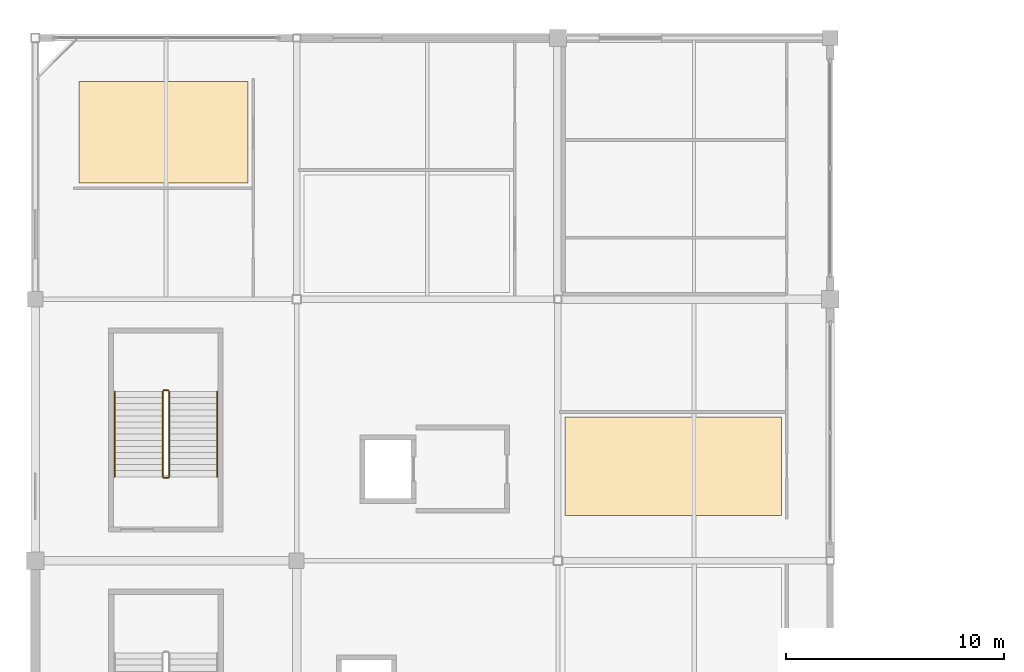
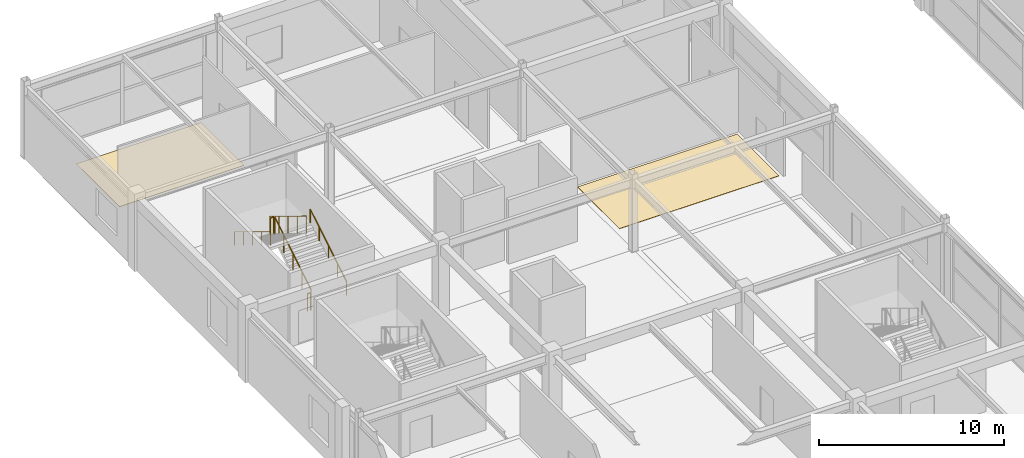
# One storey, part 123 of 128: 6 railings, 2 coverings.
"""IFC4 building model written with IfcOpenShell, lengths in metres."""

from ifc_helpers import new_model, si_unit, direction, frame, origin, origin_2d, place, context, subcontext, project, spatial, polyline, circle, outline, extrude, material, layer, layer_set, type_object, element, save


model = new_model("IFC4")

# Units and contexts
model_context = context("Model", 3, precision=1e-05, world=origin(), true_north=direction((0.0, 1.0)))
body_context = subcontext(model_context, "Body", "Model", "MODEL_VIEW")
ifc_project = project(units=[si_unit("LENGTHUNIT", "METRE"), si_unit("AREAUNIT", "SQUARE_METRE"), si_unit("VOLUMEUNIT", "CUBIC_METRE"), si_unit("PLANEANGLEUNIT", "RADIAN"), si_unit("MASSUNIT", "GRAM", prefix="KILO")], contexts=[model_context])

# Site, building, storey
site_placement = place(None, origin())
site = spatial("IfcSite", under=ifc_project, at=site_placement, CompositionType="ELEMENT")
building_placement = place(site_placement, origin())
building = spatial("IfcBuilding", under=site, at=building_placement, Name="Kazenohara Klinker Stadium", CompositionType="ELEMENT")
storey_placement = place(building_placement, frame((0.0, 0.0, 15.300048828125)))
storey = spatial("IfcBuildingStorey", under=building, at=storey_placement, Name="L03", CompositionType="ELEMENT", Elevation=15.300048828125)

# Coverings
ifc_material_1 = material(Name="Slip-resistant honed basalt terrazzo flooring", Category="masonry")
ifc_layer_1 = layer(ifc_material_1, 0.02001953125)
ifc_layer_set_1 = layer_set([ifc_layer_1], Name="Slip-resistant honed basalt terrazzo flooring")
covering_type = type_object("IfcCoveringType", Name="COV-FLR-01", PredefinedType="FLOORING", material=ifc_layer_set_1)
covering_1_placement = place(storey_placement, origin())
element("IfcCovering", 1, at=covering_1_placement, inside=storey, type_object=covering_type, Name="Interior floor finish FL01 Crowd Safety Monitoring Control Studio L03-0013B", PredefinedType="FLOORING", context=body_context, shape_type="SweptSolid", body=[
    extrude(outline(polyline([(2.0, 161.3349609375), (9.77001953125, 161.3349609375), (9.77001953125, 166.0), (2.0, 166.0), (2.0, 161.3349609375)])), origin(), (0.0, 0.0, 1.0), 0.02001953125),
])
covering_2_placement = place(storey_placement, origin())
element("IfcCovering", 2, at=covering_2_placement, inside=storey, type_object=covering_type, Name="Interior floor finish FL01 Upper Stand First-Aid Medical Clinic L03-0212A", PredefinedType="FLOORING", context=body_context, shape_type="SweptSolid", body=[
    extrude(outline(polyline([(24.330078125, 146.070068359375), (34.27001953125, 146.070068359375), (34.27001953125, 150.600341796875), (24.330078125, 150.600341796875), (24.330078125, 146.070068359375)])), origin(), (0.0, 0.0, 1.0), 0.02001953125),
])

# Railings
ifc_material_2 = material(Name="Brushed stainless steel 304 handrail", Category="steel")
ifc_layer_2 = layer(ifc_material_2, 0.050048828125)
ifc_layer_set_2 = layer_set([ifc_layer_2], Name="Brushed stainless steel 304 handrail")
railing_type_1 = type_object("IfcRailingType", Name="RL-HND-900", PredefinedType="HANDRAIL", material=ifc_layer_set_2)
railing_1_placement = place(storey_placement, frame((8.360107421875, 147.85009765625, 0.169921875)))
element("IfcRailing", 3, at=railing_1_placement, inside=storey, type_object=railing_type_1, Name="L03 ST06 stair handrail 1", PredefinedType="HANDRAIL", context=body_context, shape_type="SweptSolid", body=[
    extrude(circle(Radius=0.02392578125, at=origin_2d()), frame((0.0, 0.0, 0.8759765625), z_axis=(0.0, 0.854770645689, 0.519005918337), x_axis=(-1.0, 0.0, 0.0)), (0.0, 0.0, 1.0), 4.5859375),
    extrude(circle(Radius=0.02099609375, at=origin_2d()), origin(), (0.0, 0.0, 1.0), 0.851806640625),
    extrude(circle(Radius=0.02099609375, at=origin_2d()), frame((0.0, 0.97998046875, 0.594970703125)), (0.0, 0.0, 1.0), 0.851806640625),
    extrude(circle(Radius=0.02099609375, at=origin_2d()), frame((0.0, 1.9599609375, 1.18994140625)), (0.0, 0.0, 1.0), 0.851806640625),
    extrude(circle(Radius=0.02099609375, at=origin_2d()), frame((0.0, 2.93994140625, 1.78515625)), (0.0, 0.0, 1.0), 0.851806640625),
    extrude(circle(Radius=0.02099609375, at=origin_2d()), frame((0.0, 3.919921875, 2.380126953125)), (0.0, 0.0, 1.0), 0.851806640625),
])
railing_2_placement = place(storey_placement, frame((3.639892578125, 151.77001953125, 2.719970703125)))
element("IfcRailing", 4, at=railing_2_placement, inside=storey, type_object=railing_type_1, Name="L03 ST06 stair handrail 2", PredefinedType="HANDRAIL", context=body_context, shape_type="SweptSolid", body=[
    extrude(circle(Radius=0.02392578125, at=origin_2d()), frame((0.0, 0.0, 0.8759765625), z_axis=(0.0, -0.854794262968, 0.518967020143), x_axis=(1.0, 0.0, 0.0)), (0.0, 0.0, 1.0), 4.585693359375),
    extrude(circle(Radius=0.02099609375, at=origin_2d()), origin(), (0.0, 0.0, 1.0), 0.851806640625),
    extrude(circle(Radius=0.02099609375, at=origin_2d()), frame((0.0, -0.97998046875, 0.594970703125)), (0.0, 0.0, 1.0), 0.851806640625),
    extrude(circle(Radius=0.02099609375, at=origin_2d()), frame((0.0, -1.9599609375, 1.18994140625)), (0.0, 0.0, 1.0), 0.851806640625),
    extrude(circle(Radius=0.02099609375, at=origin_2d()), frame((0.0, -2.93994140625, 1.784912109375)), (0.0, 0.0, 1.0), 0.851806640625),
    extrude(circle(Radius=0.02099609375, at=origin_2d()), frame((0.0, -3.919921875, 2.3798828125)), (0.0, 0.0, 1.0), 0.851806640625),
])
ifc_material_3 = material(Name="Painted steel stairwell guardrail", Category="steel")
ifc_layer_3 = layer(ifc_material_3, 0.06005859375)
ifc_layer_set_3 = layer_set([ifc_layer_3], Name="Painted steel stairwell guardrail")
railing_type_2 = type_object("IfcRailingType", Name="RL-STG-1120", PredefinedType="GUARDRAIL", material=ifc_layer_set_3)
railing_3_placement = place(storey_placement, frame((6.14990234375, 147.85009765625, 0.169921875)))
element("IfcRailing", 5, at=railing_3_placement, inside=storey, type_object=railing_type_2, Name="L03 ST06 stair guard 1", PredefinedType="GUARDRAIL", context=body_context, shape_type="SweptSolid", body=[
    extrude(circle(Radius=0.02392578125, at=origin_2d()), frame((0.0, 0.0, 1.1259765625), z_axis=(0.0, 0.854770645689, 0.519005918337), x_axis=(-1.0, 0.0, 0.0)), (0.0, 0.0, 1.0), 4.5859375),
    extrude(circle(Radius=0.02099609375, at=origin_2d()), origin(), (0.0, 0.0, 1.0), 1.101806640625),
    extrude(circle(Radius=0.02099609375, at=origin_2d()), frame((0.0, 0.97998046875, 0.594970703125)), (0.0, 0.0, 1.0), 1.101806640625),
    extrude(circle(Radius=0.02099609375, at=origin_2d()), frame((0.0, 1.9599609375, 1.18994140625)), (0.0, 0.0, 1.0), 1.101806640625),
    extrude(circle(Radius=0.02099609375, at=origin_2d()), frame((0.0, 2.93994140625, 1.78515625)), (0.0, 0.0, 1.0), 1.101806640625),
    extrude(circle(Radius=0.02099609375, at=origin_2d()), frame((0.0, 3.919921875, 2.380126953125)), (0.0, 0.0, 1.0), 1.101806640625),
])
railing_4_placement = place(storey_placement, frame((6.10009765625, 151.820068359375, 2.550048828125)))
element("IfcRailing", 6, at=railing_4_placement, inside=storey, type_object=railing_type_2, Name="L03 ST06 stair guard 2", PredefinedType="GUARDRAIL", context=body_context, shape_type="SweptSolid", body=[
    extrude(circle(Radius=0.02392578125, at=origin_2d()), frame((0.0, 0.0, 1.1259765625), z_axis=(-1.0, 0.0, 0.0), x_axis=(0.0, -1.0, 0.0)), (0.0, 0.0, 1.0), 0.2001953125),
    extrude(circle(Radius=0.02099609375, at=origin_2d()), origin(), (0.0, 0.0, 1.0), 1.101806640625),
    extrude(circle(Radius=0.02099609375, at=origin_2d()), frame((-0.2001953125, 0.0, 0.0)), (0.0, 0.0, 1.0), 1.101806640625),
])
railing_5_placement = place(storey_placement, frame((5.85009765625, 151.77001953125, 2.719970703125)))
element("IfcRailing", 7, at=railing_5_placement, inside=storey, type_object=railing_type_2, Name="L03 ST06 stair guard 3", PredefinedType="GUARDRAIL", context=body_context, shape_type="SweptSolid", body=[
    extrude(circle(Radius=0.02392578125, at=origin_2d()), frame((0.0, 0.0, 1.1259765625), z_axis=(0.0, -0.854794262968, 0.518967020143), x_axis=(1.0, 0.0, 0.0)), (0.0, 0.0, 1.0), 4.585693359375),
    extrude(circle(Radius=0.02099609375, at=origin_2d()), origin(), (0.0, 0.0, 1.0), 1.101806640625),
    extrude(circle(Radius=0.02099609375, at=origin_2d()), frame((0.0, -0.97998046875, 0.594970703125)), (0.0, 0.0, 1.0), 1.101806640625),
    extrude(circle(Radius=0.02099609375, at=origin_2d()), frame((0.0, -1.9599609375, 1.18994140625)), (0.0, 0.0, 1.0), 1.101806640625),
    extrude(circle(Radius=0.02099609375, at=origin_2d()), frame((0.0, -2.93994140625, 1.784912109375)), (0.0, 0.0, 1.0), 1.101806640625),
    extrude(circle(Radius=0.02099609375, at=origin_2d()), frame((0.0, -3.919921875, 2.3798828125)), (0.0, 0.0, 1.0), 1.101806640625),
])
railing_6_placement = place(storey_placement, frame((6.10009765625, 147.800048828125, 0.0)))
element("IfcRailing", 8, at=railing_6_placement, inside=storey, type_object=railing_type_2, Name="L03 ST06 stair guard 4", PredefinedType="GUARDRAIL", context=body_context, shape_type="SweptSolid", body=[
    extrude(circle(Radius=0.02392578125, at=origin_2d()), frame((0.0, 0.0, 1.1259765625), z_axis=(-1.0, 0.0, 0.0), x_axis=(0.0, -1.0, 0.0)), (0.0, 0.0, 1.0), 0.2001953125),
    extrude(circle(Radius=0.02099609375, at=origin_2d()), origin(), (0.0, 0.0, 1.0), 1.101806640625),
    extrude(circle(Radius=0.02099609375, at=origin_2d()), frame((-0.2001953125, 0.0, 0.0)), (0.0, 0.0, 1.0), 1.101806640625),
])

save(model, "model.ifc")
